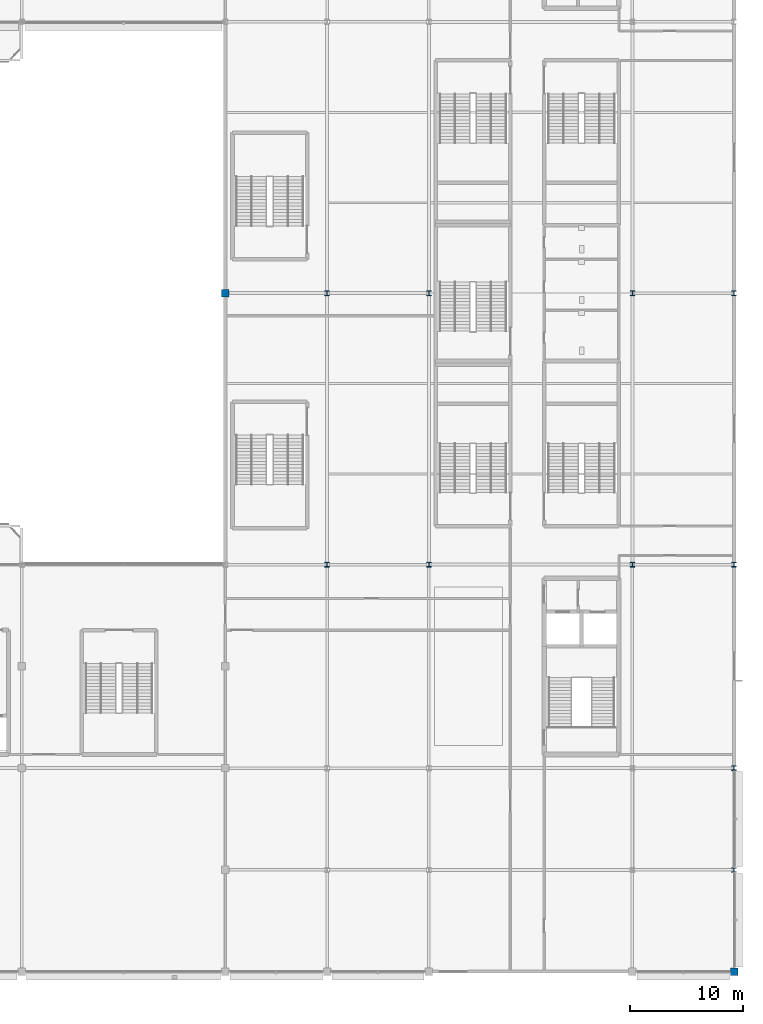
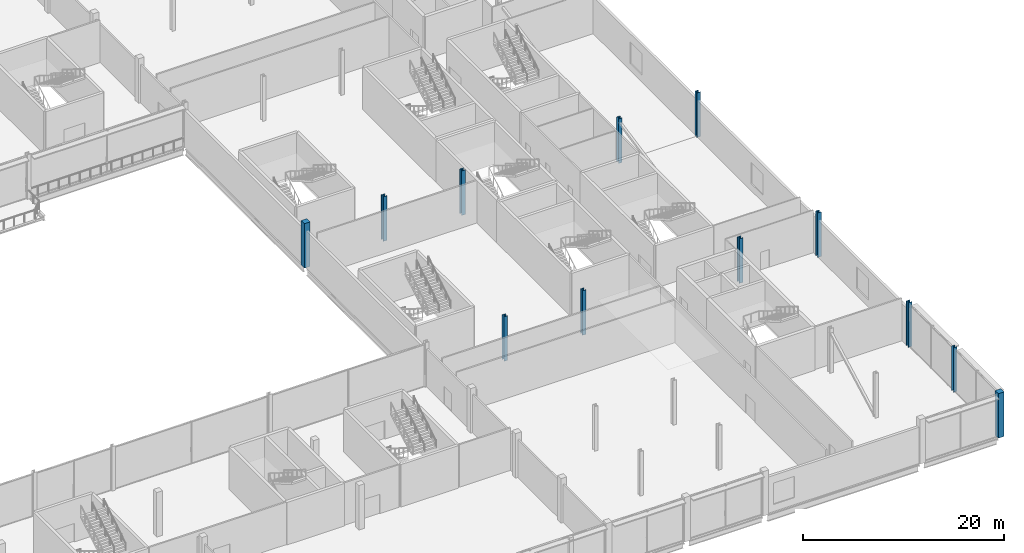
# One storey, part 8 of 113: 12 columns.
"""IFC4 building model written with IfcOpenShell, lengths in metres."""

from ifc_helpers import new_model, si_unit, direction, frame, origin, origin_2d, place, context, subcontext, project, spatial, rectangle, i_section, extrude, material, material_profile, profile_set, type_object, element, save


model = new_model("IFC4")

# Units and contexts
model_context = context("Model", 3, precision=1e-05, world=origin(), true_north=direction((0.0, 1.0)))
body_context = subcontext(model_context, "Body", "Model", "MODEL_VIEW")
ifc_project = project(units=[si_unit("LENGTHUNIT", "METRE"), si_unit("AREAUNIT", "SQUARE_METRE"), si_unit("VOLUMEUNIT", "CUBIC_METRE"), si_unit("PLANEANGLEUNIT", "RADIAN"), si_unit("MASSUNIT", "GRAM", prefix="KILO")], contexts=[model_context])

# Site, building, storey
site_placement = place(None, origin())
site = spatial("IfcSite", under=ifc_project, at=site_placement, CompositionType="ELEMENT")
building_placement = place(site_placement, origin())
building = spatial("IfcBuilding", under=site, at=building_placement, Name="Kisiwana Market Hall", CompositionType="ELEMENT")
storey_placement = place(building_placement, frame((0.0, 0.0, 6.0)))
storey = spatial("IfcBuildingStorey", under=building, at=storey_placement, Name="L01", CompositionType="ELEMENT", Elevation=6.0)

# Columns
ifc_material_1 = material(Name="Concrete C40/50", Category="concrete")
ifc_material_profile_1 = material_profile(ifc_material_1, rectangle(XDim=0.64990234375, YDim=0.64990234375, at=origin_2d()), Name="RC 650x650")
ifc_profile_set_1 = profile_set([ifc_material_profile_1], Name="Concrete C40/50")
column_type_1 = type_object("IfcColumnType", Name="COL-RC-POD-650", PredefinedType="COLUMN", material=ifc_profile_set_1)
for number, where, z_axis, x_axis, name in (
    (1, (153.0, 60.0, 0.0), (0.0, 0.0, 1.0), (1.0, 0.0, 0.0), "Column H/18 (L01) C-0454"),
    (2, (198.0, 0.0, 0.0), (0.0, 0.0, 1.0), (1.0, 0.0, 0.0), "Column A/23 (L01) C-0485"),
):
    element("IfcColumn", number, at=place(storey_placement, frame(where, z_axis=z_axis, x_axis=x_axis)), inside=storey, type_object=column_type_1, Name=name, PredefinedType="COLUMN", context=body_context, shape_type="SweptSolid", body=[
        extrude(rectangle(XDim=0.64990234375, YDim=0.64990234375, at=origin_2d()), origin(), (0.0, 0.0, 1.0), 5.39990234375),
    ])
ifc_material_2 = material(Name="Steel S355", Category="steel")
ifc_material_profile_2 = material_profile(ifc_material_2, i_section(OverallWidth=0.412109375, OverallDepth=0.43505859375, WebThickness=0.035888671875, FlangeThickness=0.05810546875, at=origin_2d()), Name="HD 400x463")
ifc_profile_set_2 = profile_set([ifc_material_profile_2], Name="Steel S355")
column_type_2 = type_object("IfcColumnType", Name="COL-STL-HD463", PredefinedType="COLUMN", material=ifc_profile_set_2)
for number, where, z_axis, x_axis, name in (
    (3, (162.0, 36.0, 0.0), (0.0, 0.0, 1.0), (1.0, 0.0, 0.0), "Column E/19 (L01) C-0463"),
    (4, (171.0, 36.0, 0.0), (0.0, 0.0, 1.0), (1.0, 0.0, 0.0), "Column E/20 (L01) C-0471"),
    (5, (171.0, 60.0, 0.0), (0.0, 0.0, 1.0), (1.0, 0.0, 0.0), "Column H/20 (L01) C-0472"),
    (6, (189.0, 36.0, 0.0), (0.0, 0.0, 1.0), (1.0, 0.0, 0.0), "Column E/22 (L01) C-0480"),
    (7, (198.0, 18.0, 0.0), (0.0, 0.0, 1.0), (1.0, 0.0, 0.0), "Column C/23 (L01) C-0487"),
    (8, (198.0, 36.0, 0.0), (0.0, 0.0, 1.0), (1.0, 0.0, 0.0), "Column E/23 (L01) C-0488"),
    (9, (198.0, 60.0, 0.0), (0.0, 0.0, 1.0), (1.0, 0.0, 0.0), "Column H/23 (L01) C-0489"),
    (10, (162.0, 60.0, 0.0), (0.0, 0.0, 1.0), (1.0, 0.0, 0.0), "Column H/19 (L01) C-0358"),
    (11, (189.0, 60.0, 0.0), (0.0, 0.0, 1.0), (1.0, 0.0, 0.0), "Column H/22 (L01) C-0359"),
):
    element("IfcColumn", number, at=place(storey_placement, frame(where, z_axis=z_axis, x_axis=x_axis)), inside=storey, type_object=column_type_2, Name=name, PredefinedType="COLUMN", context=body_context, shape_type="SweptSolid", body=[
        extrude(i_section(OverallWidth=0.412109375, OverallDepth=0.43505859375, WebThickness=0.035888671875, FlangeThickness=0.05810546875, at=origin_2d()), origin(), (0.0, 0.0, 1.0), 5.39990234375),
    ])
ifc_material_3 = material(Name="Steel S355", Category="steel")
ifc_material_profile_3 = material_profile(ifc_material_3, i_section(OverallWidth=0.403076171875, OverallDepth=0.406494140625, WebThickness=0.026611328125, FlangeThickness=0.04296875, at=origin_2d()), Name="UC 356x406x340")
ifc_profile_set_3 = profile_set([ifc_material_profile_3], Name="Steel S355")
column_type_3 = type_object("IfcColumnType", Name="COL-STL-UC340", PredefinedType="COLUMN", material=ifc_profile_set_3)
column_placement = place(storey_placement, frame((198.0, 9.0, 0.0), z_axis=(0.0, 0.0, 1.0), x_axis=(1.0, 0.0, 0.0)))
element("IfcColumn", 12, at=column_placement, inside=storey, type_object=column_type_3, Name="Column B/23 (L01) C-0486", PredefinedType="COLUMN", context=body_context, shape_type="SweptSolid", body=[
    extrude(i_section(OverallWidth=0.403076171875, OverallDepth=0.406494140625, WebThickness=0.026611328125, FlangeThickness=0.04296875, at=origin_2d()), origin(), (0.0, 0.0, 1.0), 5.39990234375),
])

save(model, "model.ifc")
